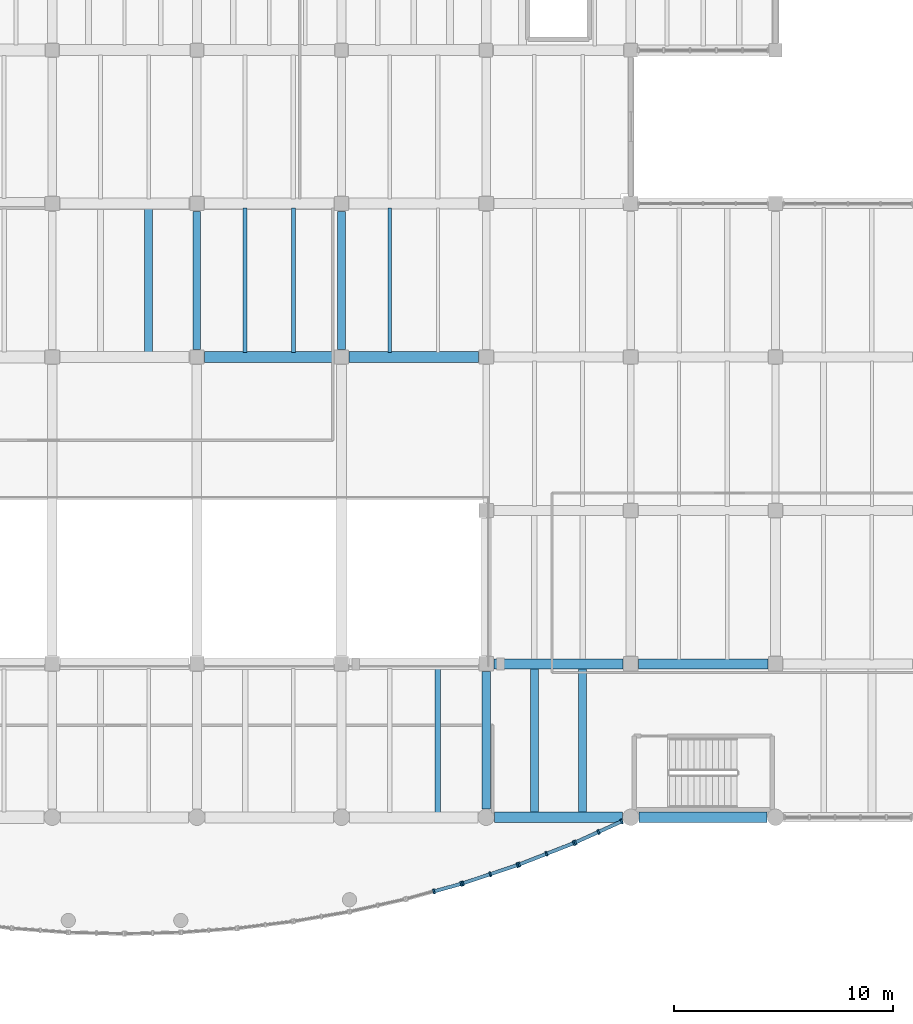
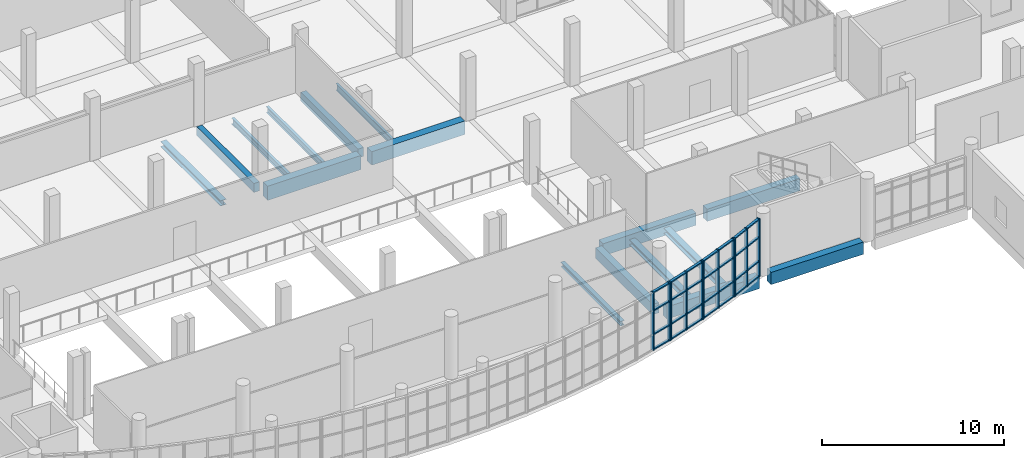
# One storey, part 14 of 68: 39 members, 16 beams, 4 elements without a shape of their own.
"""IFC4 building model written with IfcOpenShell, lengths in metres."""

import ifcopenshell
import ifcopenshell.guid

model = None  # the IFC model being written
_history = None  # IfcOwnerHistory: only IFC2X3 demands one
_inside = {}  # id of a spatial element -> (the spatial element, [elements in it])
_under = {}  # id of a project, library or spatial element -> (it, [spatial elements below it])
_declared = {}  # id of a project -> (the project, [libraries it declares])
_typed = {}  # id of a type object -> (the type object, [elements of that type])
_made_of = {}  # id of a material, layer set ... -> (it, [elements and type objects made of it])


def new_model(schema):
    """Start an empty IFC model of exactly this schema.

    Asked for "IFC4X3", IfcOpenShell would pick the latest addendum, in which some entities
    have other attributes; the version numbers below select the first issue.
    IFC2X3 requires an IfcOwnerHistory on every rooted entity: one is made here for all.
    """
    global model, _history
    if schema == "IFC4X3":
        model = ifcopenshell.file(schema_version=(4, 3, 0, 0))
    else:
        model = ifcopenshell.file(schema=schema)
    _inside.clear()
    _under.clear()
    _declared.clear()
    _typed.clear()
    _made_of.clear()
    _history = None
    if model.schema == "IFC2X3":
        org = make("IfcOrganization", Name="unknown")
        user = make(
            "IfcPersonAndOrganization",
            ThePerson=make("IfcPerson", FamilyName="unknown"),
            TheOrganization=org,
        )
        app = make(
            "IfcApplication",
            ApplicationDeveloper=org,
            Version="unknown",
            ApplicationFullName="unknown",
            ApplicationIdentifier="unknown",
        )
        _history = make(
            "IfcOwnerHistory",
            OwningUser=user,
            OwningApplication=app,
            ChangeAction="ADDED",
            CreationDate=0,
        )
    return model


def make(cls, **values):
    """One entity of the class cls with the attributes given. An attribute that is None is left unset."""
    return model.create_entity(
        cls, **{name: value for name, value in values.items() if value is not None}
    )


def rooted(cls, **values):
    """An entity with a GlobalId (a new one), such as an element, a storey or a relation."""
    return make(cls, GlobalId=ifcopenshell.guid.new(), OwnerHistory=_history, **values)


def si_unit(unit_type, name, prefix=None):
    """IfcSIUnit, for example si_unit("LENGTHUNIT", "METRE", prefix="MILLI")."""
    return make("IfcSIUnit", UnitType=unit_type, Prefix=prefix, Name=name)


def assignment(units):
    """IfcUnitAssignment: the units of a project."""
    return None if units is None else make("IfcUnitAssignment", Units=units)


def point(xyz):
    """IfcCartesianPoint."""
    return None if xyz is None else make("IfcCartesianPoint", Coordinates=xyz)


def direction(xyz):
    """IfcDirection."""
    return None if xyz is None else make("IfcDirection", DirectionRatios=xyz)


def frame(location, z_axis=None, x_axis=None):
    """IfcAxis2Placement3D, a coordinate frame: its origin and axes. An axis left out is left unset."""
    return make(
        "IfcAxis2Placement3D",
        Location=point(location),
        Axis=direction(z_axis),
        RefDirection=direction(x_axis),
    )


def frame_2d(location, x_axis=None):
    """IfcAxis2Placement2D, a coordinate frame in the plane: its origin and x axis."""
    return make(
        "IfcAxis2Placement2D", Location=point(location), RefDirection=direction(x_axis)
    )


def origin():
    """The frame at (0, 0, 0) with its axes left unset."""
    return frame((0.0, 0.0, 0.0))


def origin_2d():
    """The frame at (0, 0) in the plane with its x axis left unset."""
    return frame_2d((0.0, 0.0))


def place(relative_to, where):
    """IfcLocalPlacement: puts the frame where relative to a parent placement (None: the world)."""
    return make(
        "IfcLocalPlacement", PlacementRelTo=relative_to, RelativePlacement=where
    )


def context(
    kind, dimensions, precision=None, world=None, true_north=None, identifier=None
):
    """IfcGeometricRepresentationContext, for example the 3D "Model" context."""
    return make(
        "IfcGeometricRepresentationContext",
        ContextIdentifier=identifier,
        ContextType=kind,
        CoordinateSpaceDimension=dimensions,
        Precision=precision,
        WorldCoordinateSystem=world,
        TrueNorth=true_north,
    )


def subcontext(parent, identifier, kind, view, scale=None):
    """IfcGeometricRepresentationSubContext, for example "Body" below "Model"."""
    return make(
        "IfcGeometricRepresentationSubContext",
        ContextIdentifier=identifier,
        ContextType=kind,
        ParentContext=parent,
        TargetScale=scale,
        TargetView=view,
    )


def project(units=None, contexts=None):
    """IfcProject with its units and contexts."""
    return rooted(
        "IfcProject",
        Name="project",
        RepresentationContexts=contexts,
        UnitsInContext=assignment(units),
    )


def spatial(cls, under=None, at=None, **own):
    """A site, building, storey or space (cls), placed at a placement, below another one or the project."""
    s = rooted(cls, ObjectPlacement=at, **own)
    if under is not None:
        _under.setdefault(under.id(), (under, []))[1].append(s)
    return s


def profile(cls, at=None, kind="AREA", **sizes):
    """A parametric profile (cls). Its sizes go by their IFC names, for example OverallWidth=200.0."""
    return make(cls, ProfileType=kind, Position=at, **sizes)


def rectangle(**sizes):
    """IfcRectangleProfileDef."""
    return profile("IfcRectangleProfileDef", **sizes)


def i_section(**sizes):
    """IfcIShapeProfileDef."""
    return profile("IfcIShapeProfileDef", **sizes)


def extrude(swept, where, along, depth):
    """IfcExtrudedAreaSolid: the profile swept, set in the frame where, extruded along a direction by depth."""
    return make(
        "IfcExtrudedAreaSolid",
        SweptArea=swept,
        Position=where,
        ExtrudedDirection=direction(along),
        Depth=depth,
    )


def shape(context_of_items, identifier, shape_type, items):
    """IfcShapeRepresentation: the items that make up one representation, for example the "Body"."""
    return make(
        "IfcShapeRepresentation",
        ContextOfItems=context_of_items,
        RepresentationIdentifier=identifier,
        RepresentationType=shape_type,
        Items=items,
    )


def material(Name=None, Category=None):
    """IfcMaterial."""
    return make("IfcMaterial", Name=Name, Category=Category)


def material_profile(
    of_material, cross_section, Name=None, Category=None, Priority=None
):
    """IfcMaterialProfile: a cross section and its material."""
    return make(
        "IfcMaterialProfile",
        Name=Name,
        Material=of_material,
        Profile=cross_section,
        Priority=Priority,
        Category=Category,
    )


def profile_set(profiles, Name=None, composite=None):
    """IfcMaterialProfileSet."""
    return make(
        "IfcMaterialProfileSet",
        Name=Name,
        MaterialProfiles=profiles,
        CompositeProfile=composite,
    )


def made_of(thing, what):
    """Note that an element or type object is made of a material, layer set ...; save() writes the relation."""
    if what is not None:
        _made_of.setdefault(what.id(), (what, []))[1].append(thing)
    return thing


def type_object(cls, material=None, **own):
    """A type object (cls), such as IfcWallType, which elements share."""
    return made_of(rooted(cls, **own), material)


def element(
    cls,
    number,
    at=None,
    inside=None,
    cuts=None,
    type_object=None,
    material=None,
    context=None,
    identifier="Body",
    shape_type=None,
    held_by="IfcProductDefinitionShape",
    body=None,
    shapes=None,
    **own,
):
    """One element of the class cls, such as IfcWall. Its Tag is "e" and its number.

    at: its placement. inside: the storey or other place that contains it. cuts: it is an
    opening in that element (IfcRelVoidsElement). A single representation is given by context,
    identifier, shape_type and body (its items); several are given by shapes. held_by: the class
    of the entity that holds the representations. save() writes the other relations.
    """
    e = rooted(cls, Tag="e%d" % number, ObjectPlacement=at, **own)
    if body is not None:
        shapes = [shape(context, identifier, shape_type, body)]
    if shapes is not None:
        e.Representation = make(held_by, Representations=shapes)
    if inside is not None:
        _inside.setdefault(inside.id(), (inside, []))[1].append(e)
    if cuts is not None:
        rooted(
            "IfcRelVoidsElement", RelatingBuildingElement=cuts, RelatedOpeningElement=e
        )
    if type_object is not None:
        _typed.setdefault(type_object.id(), (type_object, []))[1].append(e)
    return made_of(e, material)


def aggregate(whole, parts):
    """IfcRelAggregates: a whole, such as a stair, and the parts it consists of."""
    return rooted("IfcRelAggregates", RelatingObject=whole, RelatedObjects=parts)


def save(model, path):
    """Write the relations noted so far, then the file.

    IfcRelAggregates (storeys below a building ...), IfcRelContainedInSpatialStructure (elements
    in a storey), IfcRelDefinesByType, IfcRelAssociatesMaterial and IfcRelDeclares: one each for
    every whole, place, type object, material and project.
    """
    for whole, parts in _under.values():
        aggregate(whole, parts)
    for where, things in _inside.values():
        rooted(
            "IfcRelContainedInSpatialStructure",
            RelatedElements=things,
            RelatingStructure=where,
        )
    for kind, things in _typed.values():
        rooted("IfcRelDefinesByType", RelatedObjects=things, RelatingType=kind)
    for what, things in _made_of.values():
        rooted("IfcRelAssociatesMaterial", RelatedObjects=things, RelatingMaterial=what)
    for by, libraries in _declared.values():
        rooted("IfcRelDeclares", RelatingContext=by, RelatedDefinitions=libraries)
    model.write(path)


model = new_model("IFC4")

# Units and contexts
model_context = context("Model", 3, precision=1e-05, world=origin(), true_north=direction((0.0, 1.0)))
body_context = subcontext(model_context, "Body", "Model", "MODEL_VIEW")
ifc_project = project(units=[si_unit("LENGTHUNIT", "METRE"), si_unit("AREAUNIT", "SQUARE_METRE"), si_unit("VOLUMEUNIT", "CUBIC_METRE"), si_unit("PLANEANGLEUNIT", "RADIAN"), si_unit("MASSUNIT", "GRAM", prefix="KILO")], contexts=[model_context])

# Site, building, storey
site_placement = place(None, origin())
site = spatial("IfcSite", under=ifc_project, at=site_placement, CompositionType="ELEMENT")
building_placement = place(site_placement, origin())
building = spatial("IfcBuilding", under=site, at=building_placement, Name="Ciguamira Faculty of Natural Sciences", CompositionType="ELEMENT")
storey_placement = place(building_placement, frame((0.0, 0.0, 4.199951171875)))
storey = spatial("IfcBuildingStorey", under=building, at=storey_placement, Name="L01", CompositionType="ELEMENT", Elevation=4.199951171875)

# Curtain wall, members
ifc_material_1 = material(Name="Anodized aluminium curtain wall", Category="aluminium")
curtain_wall_type_1 = type_object("IfcCurtainWallType", Name="CurtainWall_CW-02", PredefinedType="USERDEFINED", material=ifc_material_1)
curtain_wall_1_placement = place(storey_placement, origin())
curtain_wall_1 = element("IfcCurtainWall", 1, at=curtain_wall_1_placement, inside=storey, type_object=curtain_wall_type_1, Name="L01 south gallery curved curtain wall 15", ObjectType="UNITISED CURTAIN WALL", PredefinedType="USERDEFINED")
ifc_material_2 = material(Name="Anodized aluminium mullion", Category="aluminium")
ifc_material_profile_1 = material_profile(ifc_material_2, rectangle(XDim=0.080078125, YDim=0.219970703125, at=origin_2d()), Name="ALU-MUL-80X220")
ifc_profile_set_1 = profile_set([ifc_material_profile_1], Name="Anodized aluminium mullion")
member_type_1 = type_object("IfcMemberType", Name="CWMullion_CWM-03", PredefinedType="MULLION", material=ifc_profile_set_1)
member_1_placement = place(storey_placement, frame((101.11669921875, 6.618408203125, 0.0), z_axis=(0.0, 0.0, 1.0), x_axis=(0.963573286652, 0.267444426472, 0.0)))
member_1 = element("IfcMember", 2, at=member_1_placement, type_object=member_type_1, Name="CW-02 mullion 2", PredefinedType="MULLION", context=body_context, shape_type="SweptSolid", body=[
    extrude(rectangle(XDim=0.080078125, YDim=0.219970703125, at=origin_2d()), origin(), (0.0, 0.0, 1.0), 3.900146484375),
])
member_2_placement = place(storey_placement, frame((102.361572265625, 6.9638671875, 0.0), z_axis=(0.0, 0.0, 1.0), x_axis=(0.963573286652, 0.267444426472, 0.0)))
member_2 = element("IfcMember", 3, at=member_2_placement, type_object=member_type_1, Name="CW-02 mullion 3", PredefinedType="MULLION", context=body_context, shape_type="SweptSolid", body=[
    extrude(rectangle(XDim=0.080078125, YDim=0.219970703125, at=origin_2d()), origin(), (0.0, 0.0, 1.0), 3.900146484375),
])

curtain_wall_type_2 = type_object("IfcCurtainWallType", Name="CurtainWall_CW-03", PredefinedType="USERDEFINED", material=ifc_material_1)
curtain_wall_2_placement = place(storey_placement, origin())
curtain_wall_2 = element("IfcCurtainWall", 4, at=curtain_wall_2_placement, inside=storey, type_object=curtain_wall_type_2, Name="L01 south gallery curved curtain wall 16", ObjectType="UNITISED CURTAIN WALL", PredefinedType="USERDEFINED")
member_3_placement = place(storey_placement, frame((102.43798828125, 6.987060546875, 0.0), z_axis=(0.0, 0.0, 1.0), x_axis=(0.948735033862, 0.316072516242, 0.0)))
member_3 = element("IfcMember", 5, at=member_3_placement, type_object=member_type_1, Name="CW-03 mullion 1", PredefinedType="MULLION", context=body_context, shape_type="SweptSolid", body=[
    extrude(rectangle(XDim=0.080078125, YDim=0.219970703125, at=origin_2d()), origin(), (0.0, 0.0, 1.0), 3.900146484375),
])
member_4_placement = place(storey_placement, frame((103.683349609375, 7.402099609375, 0.0), z_axis=(0.0, 0.0, 1.0), x_axis=(0.948735033862, 0.316072516242, 0.0)))
member_4 = element("IfcMember", 6, at=member_4_placement, type_object=member_type_1, Name="CW-03 mullion 2", PredefinedType="MULLION", context=body_context, shape_type="SweptSolid", body=[
    extrude(rectangle(XDim=0.080078125, YDim=0.219970703125, at=origin_2d()), origin(), (0.0, 0.0, 1.0), 3.900146484375),
])
member_5_placement = place(storey_placement, frame((104.9287109375, 7.81689453125, 0.0), z_axis=(0.0, 0.0, 1.0), x_axis=(0.948735033862, 0.316072516242, 0.0)))
member_5 = element("IfcMember", 7, at=member_5_placement, type_object=member_type_1, Name="CW-03 mullion 3", PredefinedType="MULLION", context=body_context, shape_type="SweptSolid", body=[
    extrude(rectangle(XDim=0.080078125, YDim=0.219970703125, at=origin_2d()), origin(), (0.0, 0.0, 1.0), 3.900146484375),
])

curtain_wall_type_3 = type_object("IfcCurtainWallType", Name="CurtainWall_CW-04", PredefinedType="USERDEFINED", material=ifc_material_1)
curtain_wall_3_placement = place(storey_placement, origin())
curtain_wall_3 = element("IfcCurtainWall", 8, at=curtain_wall_3_placement, inside=storey, type_object=curtain_wall_type_3, Name="L01 south gallery curved curtain wall 17", ObjectType="UNITISED CURTAIN WALL", PredefinedType="USERDEFINED")
member_6_placement = place(storey_placement, frame((105.00390625, 7.84423828125, 0.0), z_axis=(0.0, 0.0, 1.0), x_axis=(0.931122296337, 0.36470710065, 0.0)))
member_6 = element("IfcMember", 9, at=member_6_placement, type_object=member_type_1, Name="CW-04 mullion 1", PredefinedType="MULLION", context=body_context, shape_type="SweptSolid", body=[
    extrude(rectangle(XDim=0.080078125, YDim=0.219970703125, at=origin_2d()), origin(), (0.0, 0.0, 1.0), 3.900146484375),
])
member_7_placement = place(storey_placement, frame((106.25, 8.332275390625, 0.0), z_axis=(0.0, 0.0, 1.0), x_axis=(0.931122296337, 0.36470710065, 0.0)))
member_7 = element("IfcMember", 10, at=member_7_placement, type_object=member_type_1, Name="CW-04 mullion 2", PredefinedType="MULLION", context=body_context, shape_type="SweptSolid", body=[
    extrude(rectangle(XDim=0.080078125, YDim=0.219970703125, at=origin_2d()), origin(), (0.0, 0.0, 1.0), 3.900146484375),
])
member_8_placement = place(storey_placement, frame((107.49609375, 8.8203125, 0.0), z_axis=(0.0, 0.0, 1.0), x_axis=(0.931122296337, 0.36470710065, 0.0)))
member_8 = element("IfcMember", 11, at=member_8_placement, type_object=member_type_1, Name="CW-04 mullion 3", PredefinedType="MULLION", context=body_context, shape_type="SweptSolid", body=[
    extrude(rectangle(XDim=0.080078125, YDim=0.219970703125, at=origin_2d()), origin(), (0.0, 0.0, 1.0), 3.900146484375),
])

curtain_wall_type_4 = type_object("IfcCurtainWallType", Name="CurtainWall_CW-05", PredefinedType="USERDEFINED", material=ifc_material_1)
curtain_wall_4_placement = place(storey_placement, origin())
curtain_wall_4 = element("IfcCurtainWall", 12, at=curtain_wall_4_placement, inside=storey, type_object=curtain_wall_type_4, Name="L01 south gallery curved curtain wall 18", ObjectType="UNITISED CURTAIN WALL", PredefinedType="USERDEFINED")
member_9_placement = place(storey_placement, frame((107.56982421875, 8.851318359375, 0.0), z_axis=(0.0, 0.0, 1.0), x_axis=(0.910580503774, 0.41333176281, 0.0)))
member_9 = element("IfcMember", 13, at=member_9_placement, type_object=member_type_1, Name="CW-05 mullion 1", PredefinedType="MULLION", context=body_context, shape_type="SweptSolid", body=[
    extrude(rectangle(XDim=0.080078125, YDim=0.219970703125, at=origin_2d()), origin(), (0.0, 0.0, 1.0), 3.900146484375),
])
member_10_placement = place(storey_placement, frame((108.62548828125, 9.33056640625, 0.0), z_axis=(0.0, 0.0, 1.0), x_axis=(0.910580503774, 0.41333176281, 0.0)))
member_10 = element("IfcMember", 14, at=member_10_placement, type_object=member_type_1, Name="CW-05 mullion 2", PredefinedType="MULLION", context=body_context, shape_type="SweptSolid", body=[
    extrude(rectangle(XDim=0.080078125, YDim=0.219970703125, at=origin_2d()), origin(), (0.0, 0.0, 1.0), 3.900146484375),
])
member_11_placement = place(storey_placement, frame((109.68115234375, 9.809814453125, 0.0), z_axis=(0.0, 0.0, 1.0), x_axis=(0.910580503774, 0.41333176281, 0.0)))
member_11 = element("IfcMember", 15, at=member_11_placement, type_object=member_type_1, Name="CW-05 mullion 3", PredefinedType="MULLION", context=body_context, shape_type="SweptSolid", body=[
    extrude(rectangle(XDim=0.080078125, YDim=0.219970703125, at=origin_2d()), origin(), (0.0, 0.0, 1.0), 3.900146484375),
])

# Member
ifc_material_3 = material(Name="Anodized aluminium transom", Category="aluminium")
ifc_material_profile_2 = material_profile(ifc_material_3, rectangle(XDim=0.080078125, YDim=0.159912109375, at=origin_2d()), Name="ALU-TRN-80X160")
ifc_profile_set_2 = profile_set([ifc_material_profile_2], Name="Anodized aluminium transom")
member_type_2 = type_object("IfcMemberType", Name="CWTransom_CWT-03", PredefinedType="USERDEFINED", material=ifc_profile_set_2)
member_12_placement = place(storey_placement, frame((101.1552734375, 6.62890625, 0.0400390625), z_axis=(0.963549650457, 0.267529570522, 0.0), x_axis=(0.0, 0.0, 1.0)))
member_12 = element("IfcMember", 16, at=member_12_placement, type_object=member_type_2, Name="CW-02 transom 2.1", ObjectType="TRANSOM", PredefinedType="USERDEFINED", context=body_context, shape_type="SweptSolid", body=[
    extrude(rectangle(XDim=0.080078125, YDim=0.159912109375, at=origin_2d()), origin(), (0.0, 0.0, 1.0), 1.2119140625),
])

member_13_placement = place(storey_placement, frame((101.1552734375, 6.62890625, 1.050048828125), z_axis=(0.963549650457, 0.267529570522, 0.0), x_axis=(0.0, 0.0, 1.0)))
member_13 = element("IfcMember", 17, at=member_13_placement, type_object=member_type_2, Name="CW-02 transom 2.2", ObjectType="TRANSOM", PredefinedType="USERDEFINED", context=body_context, shape_type="SweptSolid", body=[
    extrude(rectangle(XDim=0.080078125, YDim=0.159912109375, at=origin_2d()), origin(), (0.0, 0.0, 1.0), 1.2119140625),
])

member_14_placement = place(storey_placement, frame((101.1552734375, 6.62890625, 2.650146484375), z_axis=(0.963549650457, 0.267529570522, 0.0), x_axis=(0.0, 0.0, 1.0)))
member_14 = element("IfcMember", 18, at=member_14_placement, type_object=member_type_2, Name="CW-02 transom 2.3", ObjectType="TRANSOM", PredefinedType="USERDEFINED", context=body_context, shape_type="SweptSolid", body=[
    extrude(rectangle(XDim=0.080078125, YDim=0.159912109375, at=origin_2d()), origin(), (0.0, 0.0, 1.0), 1.2119140625),
])

member_15_placement = place(storey_placement, frame((101.1552734375, 6.62890625, 3.860107421875), z_axis=(0.963549650457, 0.267529570522, 0.0), x_axis=(0.0, 0.0, 1.0)))
member_15 = element("IfcMember", 19, at=member_15_placement, type_object=member_type_2, Name="CW-02 transom 2.4", ObjectType="TRANSOM", PredefinedType="USERDEFINED", context=body_context, shape_type="SweptSolid", body=[
    extrude(rectangle(XDim=0.080078125, YDim=0.159912109375, at=origin_2d()), origin(), (0.0, 0.0, 1.0), 1.2119140625),
])

aggregate(curtain_wall_1, [member_1, member_2, member_12, member_13, member_14, member_15])

member_16_placement = place(storey_placement, frame((102.475830078125, 6.999755859375, 0.0400390625), z_axis=(0.948742689117, 0.316049537013, 0.0), x_axis=(0.0, 0.0, 1.0)))
member_16 = element("IfcMember", 20, at=member_16_placement, type_object=member_type_2, Name="CW-03 transom 1.1", ObjectType="TRANSOM", PredefinedType="USERDEFINED", context=body_context, shape_type="SweptSolid", body=[
    extrude(rectangle(XDim=0.080078125, YDim=0.159912109375, at=origin_2d()), origin(), (0.0, 0.0, 1.0), 1.23291015625),
])

member_17_placement = place(storey_placement, frame((102.475830078125, 6.999755859375, 1.050048828125), z_axis=(0.948742689117, 0.316049537013, 0.0), x_axis=(0.0, 0.0, 1.0)))
member_17 = element("IfcMember", 21, at=member_17_placement, type_object=member_type_2, Name="CW-03 transom 1.2", ObjectType="TRANSOM", PredefinedType="USERDEFINED", context=body_context, shape_type="SweptSolid", body=[
    extrude(rectangle(XDim=0.080078125, YDim=0.159912109375, at=origin_2d()), origin(), (0.0, 0.0, 1.0), 1.23291015625),
])

member_18_placement = place(storey_placement, frame((102.475830078125, 6.999755859375, 2.650146484375), z_axis=(0.948742689117, 0.316049537013, 0.0), x_axis=(0.0, 0.0, 1.0)))
member_18 = element("IfcMember", 22, at=member_18_placement, type_object=member_type_2, Name="CW-03 transom 1.3", ObjectType="TRANSOM", PredefinedType="USERDEFINED", context=body_context, shape_type="SweptSolid", body=[
    extrude(rectangle(XDim=0.080078125, YDim=0.159912109375, at=origin_2d()), origin(), (0.0, 0.0, 1.0), 1.23291015625),
])

member_19_placement = place(storey_placement, frame((102.475830078125, 6.999755859375, 3.860107421875), z_axis=(0.948742689117, 0.316049537013, 0.0), x_axis=(0.0, 0.0, 1.0)))
member_19 = element("IfcMember", 23, at=member_19_placement, type_object=member_type_2, Name="CW-03 transom 1.4", ObjectType="TRANSOM", PredefinedType="USERDEFINED", context=body_context, shape_type="SweptSolid", body=[
    extrude(rectangle(XDim=0.080078125, YDim=0.159912109375, at=origin_2d()), origin(), (0.0, 0.0, 1.0), 1.23291015625),
])

member_20_placement = place(storey_placement, frame((103.72119140625, 7.414794921875, 0.0400390625), z_axis=(0.948802054129, 0.315871274543, 0.0), x_axis=(0.0, 0.0, 1.0)))
member_20 = element("IfcMember", 24, at=member_20_placement, type_object=member_type_2, Name="CW-03 transom 2.1", ObjectType="TRANSOM", PredefinedType="USERDEFINED", context=body_context, shape_type="SweptSolid", body=[
    extrude(rectangle(XDim=0.080078125, YDim=0.159912109375, at=origin_2d()), origin(), (0.0, 0.0, 1.0), 1.23291015625),
])

member_21_placement = place(storey_placement, frame((103.72119140625, 7.414794921875, 1.050048828125), z_axis=(0.948802054129, 0.315871274543, 0.0), x_axis=(0.0, 0.0, 1.0)))
member_21 = element("IfcMember", 25, at=member_21_placement, type_object=member_type_2, Name="CW-03 transom 2.2", ObjectType="TRANSOM", PredefinedType="USERDEFINED", context=body_context, shape_type="SweptSolid", body=[
    extrude(rectangle(XDim=0.080078125, YDim=0.159912109375, at=origin_2d()), origin(), (0.0, 0.0, 1.0), 1.23291015625),
])

member_22_placement = place(storey_placement, frame((103.72119140625, 7.414794921875, 2.650146484375), z_axis=(0.948802054129, 0.315871274543, 0.0), x_axis=(0.0, 0.0, 1.0)))
member_22 = element("IfcMember", 26, at=member_22_placement, type_object=member_type_2, Name="CW-03 transom 2.3", ObjectType="TRANSOM", PredefinedType="USERDEFINED", context=body_context, shape_type="SweptSolid", body=[
    extrude(rectangle(XDim=0.080078125, YDim=0.159912109375, at=origin_2d()), origin(), (0.0, 0.0, 1.0), 1.23291015625),
])

member_23_placement = place(storey_placement, frame((103.72119140625, 7.414794921875, 3.860107421875), z_axis=(0.948802054129, 0.315871274543, 0.0), x_axis=(0.0, 0.0, 1.0)))
member_23 = element("IfcMember", 27, at=member_23_placement, type_object=member_type_2, Name="CW-03 transom 2.4", ObjectType="TRANSOM", PredefinedType="USERDEFINED", context=body_context, shape_type="SweptSolid", body=[
    extrude(rectangle(XDim=0.080078125, YDim=0.159912109375, at=origin_2d()), origin(), (0.0, 0.0, 1.0), 1.23291015625),
])

aggregate(curtain_wall_2, [member_3, member_4, member_5, member_16, member_17, member_18, member_19, member_20, member_21, member_22, member_23])

member_24_placement = place(storey_placement, frame((105.041259765625, 7.85888671875, 0.0400390625), z_axis=(0.931142528587, 0.364655442104, 0.0), x_axis=(0.0, 0.0, 1.0)))
member_24 = element("IfcMember", 28, at=member_24_placement, type_object=member_type_2, Name="CW-04 transom 1.1", ObjectType="TRANSOM", PredefinedType="USERDEFINED", context=body_context, shape_type="SweptSolid", body=[
    extrude(rectangle(XDim=0.080078125, YDim=0.159912109375, at=origin_2d()), origin(), (0.0, 0.0, 1.0), 1.258056640625),
])

member_25_placement = place(storey_placement, frame((105.041259765625, 7.85888671875, 1.050048828125), z_axis=(0.931142528587, 0.364655442104, 0.0), x_axis=(0.0, 0.0, 1.0)))
member_25 = element("IfcMember", 29, at=member_25_placement, type_object=member_type_2, Name="CW-04 transom 1.2", ObjectType="TRANSOM", PredefinedType="USERDEFINED", context=body_context, shape_type="SweptSolid", body=[
    extrude(rectangle(XDim=0.080078125, YDim=0.159912109375, at=origin_2d()), origin(), (0.0, 0.0, 1.0), 1.258056640625),
])

member_26_placement = place(storey_placement, frame((105.041259765625, 7.85888671875, 2.650146484375), z_axis=(0.931142528587, 0.364655442104, 0.0), x_axis=(0.0, 0.0, 1.0)))
member_26 = element("IfcMember", 30, at=member_26_placement, type_object=member_type_2, Name="CW-04 transom 1.3", ObjectType="TRANSOM", PredefinedType="USERDEFINED", context=body_context, shape_type="SweptSolid", body=[
    extrude(rectangle(XDim=0.080078125, YDim=0.159912109375, at=origin_2d()), origin(), (0.0, 0.0, 1.0), 1.258056640625),
])

member_27_placement = place(storey_placement, frame((105.041259765625, 7.85888671875, 3.860107421875), z_axis=(0.931142528587, 0.364655442104, 0.0), x_axis=(0.0, 0.0, 1.0)))
member_27 = element("IfcMember", 31, at=member_27_placement, type_object=member_type_2, Name="CW-04 transom 1.4", ObjectType="TRANSOM", PredefinedType="USERDEFINED", context=body_context, shape_type="SweptSolid", body=[
    extrude(rectangle(XDim=0.080078125, YDim=0.159912109375, at=origin_2d()), origin(), (0.0, 0.0, 1.0), 1.258056640625),
])

member_28_placement = place(storey_placement, frame((106.287353515625, 8.346923828125, 0.0400390625), z_axis=(0.931142528587, 0.364655442104, 0.0), x_axis=(0.0, 0.0, 1.0)))
member_28 = element("IfcMember", 32, at=member_28_placement, type_object=member_type_2, Name="CW-04 transom 2.1", ObjectType="TRANSOM", PredefinedType="USERDEFINED", context=body_context, shape_type="SweptSolid", body=[
    extrude(rectangle(XDim=0.080078125, YDim=0.159912109375, at=origin_2d()), origin(), (0.0, 0.0, 1.0), 1.258056640625),
])

member_29_placement = place(storey_placement, frame((106.287353515625, 8.346923828125, 1.050048828125), z_axis=(0.931142528587, 0.364655442104, 0.0), x_axis=(0.0, 0.0, 1.0)))
member_29 = element("IfcMember", 33, at=member_29_placement, type_object=member_type_2, Name="CW-04 transom 2.2", ObjectType="TRANSOM", PredefinedType="USERDEFINED", context=body_context, shape_type="SweptSolid", body=[
    extrude(rectangle(XDim=0.080078125, YDim=0.159912109375, at=origin_2d()), origin(), (0.0, 0.0, 1.0), 1.258056640625),
])

member_30_placement = place(storey_placement, frame((106.287353515625, 8.346923828125, 2.650146484375), z_axis=(0.931142528587, 0.364655442104, 0.0), x_axis=(0.0, 0.0, 1.0)))
member_30 = element("IfcMember", 34, at=member_30_placement, type_object=member_type_2, Name="CW-04 transom 2.3", ObjectType="TRANSOM", PredefinedType="USERDEFINED", context=body_context, shape_type="SweptSolid", body=[
    extrude(rectangle(XDim=0.080078125, YDim=0.159912109375, at=origin_2d()), origin(), (0.0, 0.0, 1.0), 1.258056640625),
])

member_31_placement = place(storey_placement, frame((106.287353515625, 8.346923828125, 3.860107421875), z_axis=(0.931142528587, 0.364655442104, 0.0), x_axis=(0.0, 0.0, 1.0)))
member_31 = element("IfcMember", 35, at=member_31_placement, type_object=member_type_2, Name="CW-04 transom 2.4", ObjectType="TRANSOM", PredefinedType="USERDEFINED", context=body_context, shape_type="SweptSolid", body=[
    extrude(rectangle(XDim=0.080078125, YDim=0.159912109375, at=origin_2d()), origin(), (0.0, 0.0, 1.0), 1.258056640625),
])

aggregate(curtain_wall_3, [member_6, member_7, member_8, member_24, member_25, member_26, member_27, member_28, member_29, member_30, member_31])

member_32_placement = place(storey_placement, frame((107.606201171875, 8.867919921875, 0.0400390625), z_axis=(0.910536797913, 0.413428034422, 0.0), x_axis=(0.0, 0.0, 1.0)))
member_32 = element("IfcMember", 36, at=member_32_placement, type_object=member_type_2, Name="CW-05 transom 1.1", ObjectType="TRANSOM", PredefinedType="USERDEFINED", context=body_context, shape_type="SweptSolid", body=[
    extrude(rectangle(XDim=0.080078125, YDim=0.159912109375, at=origin_2d()), origin(), (0.0, 0.0, 1.0), 1.07958984375),
])

member_33_placement = place(storey_placement, frame((107.606201171875, 8.867919921875, 1.050048828125), z_axis=(0.910536797913, 0.413428034422, 0.0), x_axis=(0.0, 0.0, 1.0)))
member_33 = element("IfcMember", 37, at=member_33_placement, type_object=member_type_2, Name="CW-05 transom 1.2", ObjectType="TRANSOM", PredefinedType="USERDEFINED", context=body_context, shape_type="SweptSolid", body=[
    extrude(rectangle(XDim=0.080078125, YDim=0.159912109375, at=origin_2d()), origin(), (0.0, 0.0, 1.0), 1.07958984375),
])

member_34_placement = place(storey_placement, frame((107.606201171875, 8.867919921875, 2.650146484375), z_axis=(0.910536797913, 0.413428034422, 0.0), x_axis=(0.0, 0.0, 1.0)))
member_34 = element("IfcMember", 38, at=member_34_placement, type_object=member_type_2, Name="CW-05 transom 1.3", ObjectType="TRANSOM", PredefinedType="USERDEFINED", context=body_context, shape_type="SweptSolid", body=[
    extrude(rectangle(XDim=0.080078125, YDim=0.159912109375, at=origin_2d()), origin(), (0.0, 0.0, 1.0), 1.07958984375),
])

member_35_placement = place(storey_placement, frame((107.606201171875, 8.867919921875, 3.860107421875), z_axis=(0.910536797913, 0.413428034422, 0.0), x_axis=(0.0, 0.0, 1.0)))
member_35 = element("IfcMember", 39, at=member_35_placement, type_object=member_type_2, Name="CW-05 transom 1.4", ObjectType="TRANSOM", PredefinedType="USERDEFINED", context=body_context, shape_type="SweptSolid", body=[
    extrude(rectangle(XDim=0.080078125, YDim=0.159912109375, at=origin_2d()), origin(), (0.0, 0.0, 1.0), 1.07958984375),
])

member_36_placement = place(storey_placement, frame((108.661865234375, 9.34716796875, 0.0400390625), z_axis=(0.910621924114, 0.413240500585, 0.0), x_axis=(0.0, 0.0, 1.0)))
member_36 = element("IfcMember", 40, at=member_36_placement, type_object=member_type_2, Name="CW-05 transom 2.1", ObjectType="TRANSOM", PredefinedType="USERDEFINED", context=body_context, shape_type="SweptSolid", body=[
    extrude(rectangle(XDim=0.080078125, YDim=0.159912109375, at=origin_2d()), origin(), (0.0, 0.0, 1.0), 1.079345703125),
])

member_37_placement = place(storey_placement, frame((108.661865234375, 9.34716796875, 1.050048828125), z_axis=(0.910621924114, 0.413240500585, 0.0), x_axis=(0.0, 0.0, 1.0)))
member_37 = element("IfcMember", 41, at=member_37_placement, type_object=member_type_2, Name="CW-05 transom 2.2", ObjectType="TRANSOM", PredefinedType="USERDEFINED", context=body_context, shape_type="SweptSolid", body=[
    extrude(rectangle(XDim=0.080078125, YDim=0.159912109375, at=origin_2d()), origin(), (0.0, 0.0, 1.0), 1.079345703125),
])

member_38_placement = place(storey_placement, frame((108.661865234375, 9.34716796875, 2.650146484375), z_axis=(0.910621924114, 0.413240500585, 0.0), x_axis=(0.0, 0.0, 1.0)))
member_38 = element("IfcMember", 42, at=member_38_placement, type_object=member_type_2, Name="CW-05 transom 2.3", ObjectType="TRANSOM", PredefinedType="USERDEFINED", context=body_context, shape_type="SweptSolid", body=[
    extrude(rectangle(XDim=0.080078125, YDim=0.159912109375, at=origin_2d()), origin(), (0.0, 0.0, 1.0), 1.079345703125),
])

member_39_placement = place(storey_placement, frame((108.661865234375, 9.34716796875, 3.860107421875), z_axis=(0.910621924114, 0.413240500585, 0.0), x_axis=(0.0, 0.0, 1.0)))
member_39 = element("IfcMember", 43, at=member_39_placement, type_object=member_type_2, Name="CW-05 transom 2.4", ObjectType="TRANSOM", PredefinedType="USERDEFINED", context=body_context, shape_type="SweptSolid", body=[
    extrude(rectangle(XDim=0.080078125, YDim=0.159912109375, at=origin_2d()), origin(), (0.0, 0.0, 1.0), 1.079345703125),
])

aggregate(curtain_wall_4, [member_9, member_10, member_11, member_32, member_33, member_34, member_35, member_36, member_37, member_38, member_39])

# Beams
ifc_material_4 = material(Name="Concrete C40/50", Category="concrete")
ifc_material_profile_3 = material_profile(ifc_material_4, rectangle(XDim=0.5, YDim=0.949951171875, at=origin_2d()), Name="RC-BM-500X950")
ifc_profile_set_3 = profile_set([ifc_material_profile_3], Name="Concrete C40/50")
beam_type_1 = type_object("IfcBeamType", Name="RCBeam_BG-02_RC-BM-500X950", PredefinedType="BEAM", material=ifc_profile_set_3)
beam_1_placement = place(storey_placement, frame((90.64990234375, 31.0, -0.474853515625), z_axis=(1.0, 0.0, 0.0), x_axis=(0.0, 1.0, 0.0)))
element("IfcBeam", 44, at=beam_1_placement, inside=storey, type_object=beam_type_1, Name="L01 RC girder EW-0441", PredefinedType="BEAM", context=body_context, shape_type="SweptSolid", body=[
    extrude(rectangle(XDim=0.5, YDim=0.949951171875, at=origin_2d()), origin(), (0.0, 0.0, 1.0), 5.900146484375),
])
ifc_material_profile_4 = material_profile(ifc_material_4, rectangle(XDim=0.5, YDim=0.89990234375, at=origin_2d()), Name="RC-BM-500X900")
ifc_profile_set_4 = profile_set([ifc_material_profile_4], Name="Concrete C40/50")
beam_type_2 = type_object("IfcBeamType", Name="RCBeam_BG-03_RC-BM-500X900", PredefinedType="BEAM", material=ifc_profile_set_4)
beam_2_placement = place(storey_placement, frame((97.25, 31.0, -0.449951171875), z_axis=(1.0, 0.0, 0.0), x_axis=(0.0, 1.0, 0.0)))
element("IfcBeam", 45, at=beam_2_placement, inside=storey, type_object=beam_type_2, Name="L01 RC girder EW-0442", PredefinedType="BEAM", context=body_context, shape_type="SweptSolid", body=[
    extrude(rectangle(XDim=0.5, YDim=0.89990234375, at=origin_2d()), origin(), (0.0, 0.0, 1.0), 5.89990234375),
])
ifc_material_profile_5 = material_profile(ifc_material_4, rectangle(XDim=0.4599609375, YDim=0.820068359375, at=origin_2d()), Name="RC-BM-460X820")
ifc_profile_set_5 = profile_set([ifc_material_profile_5], Name="Concrete C40/50")
beam_type_3 = type_object("IfcBeamType", Name="RCBeam_BG-04_RC-BM-460X820", PredefinedType="BEAM", material=ifc_profile_set_5)
beam_3_placement = place(storey_placement, frame((103.875, 10.0, -0.409912109375), z_axis=(1.0, 0.0, 0.0), x_axis=(0.0, 1.0, 0.0)))
element("IfcBeam", 46, at=beam_3_placement, inside=storey, type_object=beam_type_3, Name="L01 RC girder EW-0387", PredefinedType="BEAM", context=body_context, shape_type="SweptSolid", body=[
    extrude(rectangle(XDim=0.4599609375, YDim=0.820068359375, at=origin_2d()), origin(), (0.0, 0.0, 1.0), 5.85009765625),
])
beam_4_placement = place(storey_placement, frame((110.47509765625, 10.0, -0.409912109375), z_axis=(1.0, 0.0, 0.0), x_axis=(0.0, 1.0, 0.0)))
element("IfcBeam", 47, at=beam_4_placement, inside=storey, type_object=beam_type_3, Name="L01 RC girder EW-0388", PredefinedType="BEAM", context=body_context, shape_type="SweptSolid", body=[
    extrude(rectangle(XDim=0.4599609375, YDim=0.820068359375, at=origin_2d()), origin(), (0.0, 0.0, 1.0), 5.849853515625),
])
beam_5_placement = place(storey_placement, frame((103.85009765625, 17.0, -0.409912109375), z_axis=(1.0, 0.0, 0.0), x_axis=(0.0, 1.0, 0.0)))
element("IfcBeam", 48, at=beam_5_placement, inside=storey, type_object=beam_type_3, Name="L01 RC girder EW-0405", PredefinedType="BEAM", context=body_context, shape_type="SweptSolid", body=[
    extrude(rectangle(XDim=0.4599609375, YDim=0.820068359375, at=origin_2d()), origin(), (0.0, 0.0, 1.0), 5.89990234375),
])
beam_6_placement = place(storey_placement, frame((110.449951171875, 17.0, -0.409912109375), z_axis=(1.0, 0.0, 0.0), x_axis=(0.0, 1.0, 0.0)))
element("IfcBeam", 49, at=beam_6_placement, inside=storey, type_object=beam_type_3, Name="L01 RC girder EW-0406", PredefinedType="BEAM", context=body_context, shape_type="SweptSolid", body=[
    extrude(rectangle(XDim=0.4599609375, YDim=0.820068359375, at=origin_2d()), origin(), (0.0, 0.0, 1.0), 5.900146484375),
])
ifc_material_profile_6 = material_profile(ifc_material_4, rectangle(XDim=0.39990234375, YDim=0.699951171875, at=origin_2d()), Name="RC-BM-400X700")
ifc_profile_set_6 = profile_set([ifc_material_profile_6], Name="Concrete C40/50")
beam_type_4 = type_object("IfcBeamType", Name="RCBeam_BG-08_RC-BM-400X700", PredefinedType="BEAM", material=ifc_profile_set_6)
beam_7_placement = place(storey_placement, frame((103.5, 10.375, -0.349853515625), z_axis=(0.0, 1.0, 0.0), x_axis=(-1.0, 0.0, 0.0)))
element("IfcBeam", 50, at=beam_7_placement, inside=storey, type_object=beam_type_4, Name="L01 girder NS-0653", PredefinedType="BEAM", context=body_context, shape_type="SweptSolid", body=[
    extrude(rectangle(XDim=0.39990234375, YDim=0.699951171875, at=origin_2d()), origin(), (0.0, 0.0, 1.0), 6.27490234375),
])
ifc_material_profile_7 = material_profile(ifc_material_4, rectangle(XDim=0.35009765625, YDim=0.60009765625, at=origin_2d()), Name="RC-BM-350X600")
ifc_profile_set_7 = profile_set([ifc_material_profile_7], Name="Concrete C40/50")
beam_type_5 = type_object("IfcBeamType", Name="RCBeam_BG-11_RC-BM-350X600", PredefinedType="BEAM", material=ifc_profile_set_7)
for number, where, z_axis, x_axis, name in (
    (51, (90.300048828125, 31.35009765625, -0.300048828125), (0.0, 1.0, 0.0), (-1.0, 0.0, 0.0), "L01 girder NS-0632"),
    (52, (96.89990234375, 31.35009765625, -0.300048828125), (0.0, 1.0, 0.0), (-1.0, 0.0, 0.0), "L01 girder NS-0644"),
):
    element("IfcBeam", number, at=place(storey_placement, frame(where, z_axis=z_axis, x_axis=x_axis)), inside=storey, type_object=beam_type_5, Name=name, PredefinedType="BEAM", context=body_context, shape_type="SweptSolid", body=[
        extrude(rectangle(XDim=0.35009765625, YDim=0.60009765625, at=origin_2d()), origin(), (0.0, 0.0, 1.0), 6.2998046875),
    ])
ifc_material_5 = material(Name="Steel ASTM A992 Grade 50", Category="steel")
ifc_material_profile_8 = material_profile(ifc_material_5, i_section(OverallWidth=0.25390625, OverallDepth=0.307373046875, WebThickness=0.0087890625, FlangeThickness=0.0146484375, at=origin_2d()), Name="W12X53")
ifc_profile_set_8 = profile_set([ifc_material_profile_8], Name="Steel ASTM A992 Grade 50")
beam_type_6 = type_object("IfcBeamType", Name="SteelJoist_SJ-07_W12X53", PredefinedType="JOIST", material=ifc_profile_set_8)
beam_8_placement = place(storey_placement, frame((101.300048828125, 10.2099609375, -0.45361328125), z_axis=(0.0, 1.0, 0.0), x_axis=(-1.0, 0.0, 0.0)))
element("IfcBeam", 53, at=beam_8_placement, inside=storey, type_object=beam_type_6, Name="L01 composite steel joist 00546", PredefinedType="JOIST", context=body_context, shape_type="SweptSolid", body=[
    extrude(i_section(OverallWidth=0.25390625, OverallDepth=0.307373046875, WebThickness=0.0087890625, FlangeThickness=0.0146484375, at=origin_2d()), origin(), (0.0, 0.0, 1.0), 6.580078125),
])
ifc_material_profile_9 = material_profile(ifc_material_5, i_section(OverallWidth=0.370849609375, OverallDepth=0.36328125, WebThickness=0.013427734375, FlangeThickness=0.021728515625, at=origin_2d()), Name="W14X109")
ifc_profile_set_9 = profile_set([ifc_material_profile_9], Name="Steel ASTM A992 Grade 50")
beam_type_7 = type_object("IfcBeamType", Name="SteelJoist_SJ-09_W14X109", PredefinedType="JOIST", material=ifc_profile_set_9)
beam_9_placement = place(storey_placement, frame((105.699951171875, 10.18994140625, -0.4814453125), z_axis=(0.0, 1.0, 0.0), x_axis=(-1.0, 0.0, 0.0)))
element("IfcBeam", 54, at=beam_9_placement, inside=storey, type_object=beam_type_7, Name="L01 composite steel joist 00570", PredefinedType="JOIST", context=body_context, shape_type="SweptSolid", body=[
    extrude(i_section(OverallWidth=0.370849609375, OverallDepth=0.36328125, WebThickness=0.013427734375, FlangeThickness=0.021728515625, at=origin_2d()), origin(), (0.0, 0.0, 1.0), 6.6201171875),
])
ifc_material_profile_10 = material_profile(ifc_material_5, i_section(OverallWidth=0.373291015625, OverallDepth=0.373291015625, WebThickness=0.016357421875, FlangeThickness=0.026123046875, at=origin_2d()), Name="W14X132")
ifc_profile_set_10 = profile_set([ifc_material_profile_10], Name="Steel ASTM A992 Grade 50")
beam_type_8 = type_object("IfcBeamType", Name="SteelJoist_SJ-10_W14X132", PredefinedType="JOIST", material=ifc_profile_set_10)
beam_10_placement = place(storey_placement, frame((107.89990234375, 10.18994140625, -0.486572265625), z_axis=(0.0, 1.0, 0.0), x_axis=(-1.0, 0.0, 0.0)))
element("IfcBeam", 55, at=beam_10_placement, inside=storey, type_object=beam_type_8, Name="L01 composite steel joist 00571", PredefinedType="JOIST", context=body_context, shape_type="SweptSolid", body=[
    extrude(i_section(OverallWidth=0.373291015625, OverallDepth=0.373291015625, WebThickness=0.016357421875, FlangeThickness=0.026123046875, at=origin_2d()), origin(), (0.0, 0.0, 1.0), 6.6201171875),
])
ifc_material_profile_11 = material_profile(ifc_material_5, i_section(OverallWidth=0.368408203125, OverallDepth=0.355712890625, WebThickness=0.01123046875, FlangeThickness=0.01806640625, at=origin_2d()), Name="W14X90")
ifc_profile_set_11 = profile_set([ifc_material_profile_11], Name="Steel ASTM A992 Grade 50")
beam_type_9 = type_object("IfcBeamType", Name="SteelJoist_SJ-16_W14X90", PredefinedType="JOIST", material=ifc_profile_set_11)
beam_11_placement = place(storey_placement, frame((88.10009765625, 31.2099609375, -0.477783203125), z_axis=(0.0, 1.0, 0.0), x_axis=(-1.0, 0.0, 0.0)))
element("IfcBeam", 56, at=beam_11_placement, inside=storey, type_object=beam_type_9, Name="L01 composite steel joist 00497", PredefinedType="JOIST", context=body_context, shape_type="SweptSolid", body=[
    extrude(i_section(OverallWidth=0.368408203125, OverallDepth=0.355712890625, WebThickness=0.01123046875, FlangeThickness=0.01806640625, at=origin_2d()), origin(), (0.0, 0.0, 1.0), 6.580078125),
])
ifc_material_profile_12 = material_profile(ifc_material_5, i_section(OverallWidth=0.177490234375, OverallDepth=0.40380859375, WebThickness=0.007568359375, FlangeThickness=0.010986328125, at=origin_2d()), Name="W16X36")
ifc_profile_set_12 = profile_set([ifc_material_profile_12], Name="Steel ASTM A992 Grade 50")
beam_type_10 = type_object("IfcBeamType", Name="SteelJoist_SJ-18_W16X36", PredefinedType="JOIST", material=ifc_profile_set_12)
beam_12_placement = place(storey_placement, frame((92.5, 31.2099609375, -0.501953125), z_axis=(0.0, 1.0, 0.0), x_axis=(-1.0, 0.0, 0.0)))
element("IfcBeam", 57, at=beam_12_placement, inside=storey, type_object=beam_type_10, Name="L01 composite steel joist 00521", PredefinedType="JOIST", context=body_context, shape_type="SweptSolid", body=[
    extrude(i_section(OverallWidth=0.177490234375, OverallDepth=0.40380859375, WebThickness=0.007568359375, FlangeThickness=0.010986328125, at=origin_2d()), origin(), (0.0, 0.0, 1.0), 6.580078125),
])
ifc_material_profile_13 = material_profile(ifc_material_5, i_section(OverallWidth=0.1787109375, OverallDepth=0.408935546875, WebThickness=0.0087890625, FlangeThickness=0.014404296875, at=origin_2d()), Name="W16X45")
ifc_profile_set_13 = profile_set([ifc_material_profile_13], Name="Steel ASTM A992 Grade 50")
beam_type_11 = type_object("IfcBeamType", Name="SteelJoist_SJ-19_W16X45", PredefinedType="JOIST", material=ifc_profile_set_13)
beam_13_placement = place(storey_placement, frame((94.699951171875, 31.2099609375, -0.50439453125), z_axis=(0.0, 1.0, 0.0), x_axis=(-1.0, 0.0, 0.0)))
element("IfcBeam", 58, at=beam_13_placement, inside=storey, type_object=beam_type_11, Name="L01 composite steel joist 00522", PredefinedType="JOIST", context=body_context, shape_type="SweptSolid", body=[
    extrude(i_section(OverallWidth=0.1787109375, OverallDepth=0.408935546875, WebThickness=0.0087890625, FlangeThickness=0.014404296875, at=origin_2d()), origin(), (0.0, 0.0, 1.0), 6.580078125),
])
ifc_material_profile_14 = material_profile(ifc_material_5, i_section(OverallWidth=0.15234375, OverallDepth=0.449462890625, WebThickness=0.007568359375, FlangeThickness=0.0107421875, at=origin_2d()), Name="W18X35")
ifc_profile_set_14 = profile_set([ifc_material_profile_14], Name="Steel ASTM A992 Grade 50")
beam_type_12 = type_object("IfcBeamType", Name="SteelJoist_SJ-21_W18X35", PredefinedType="JOIST", material=ifc_profile_set_14)
beam_14_placement = place(storey_placement, frame((99.10009765625, 31.2099609375, -0.524658203125), z_axis=(0.0, 1.0, 0.0), x_axis=(-1.0, 0.0, 0.0)))
element("IfcBeam", 59, at=beam_14_placement, inside=storey, type_object=beam_type_12, Name="L01 composite steel joist 00547", PredefinedType="JOIST", context=body_context, shape_type="SweptSolid", body=[
    extrude(i_section(OverallWidth=0.15234375, OverallDepth=0.449462890625, WebThickness=0.007568359375, FlangeThickness=0.0107421875, at=origin_2d()), origin(), (0.0, 0.0, 1.0), 6.580078125),
])

save(model, "model.ifc")
